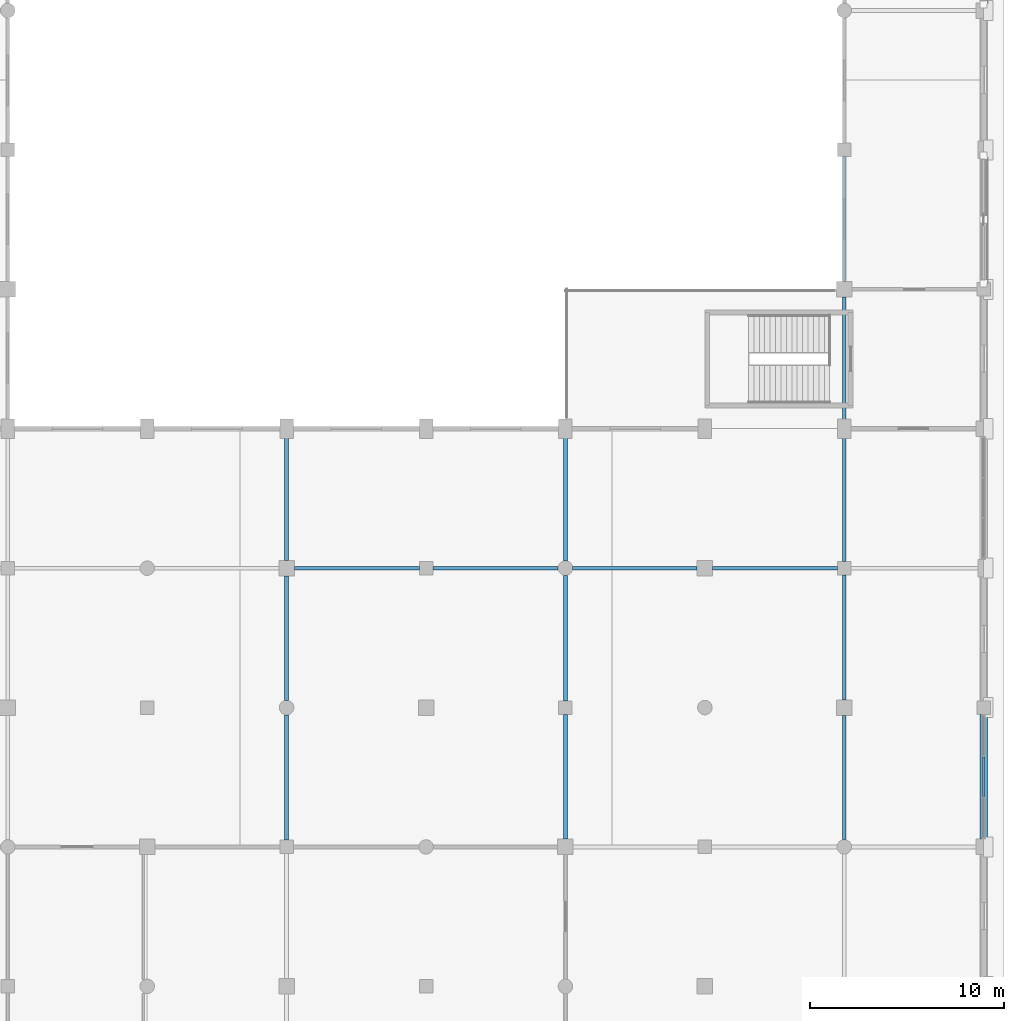
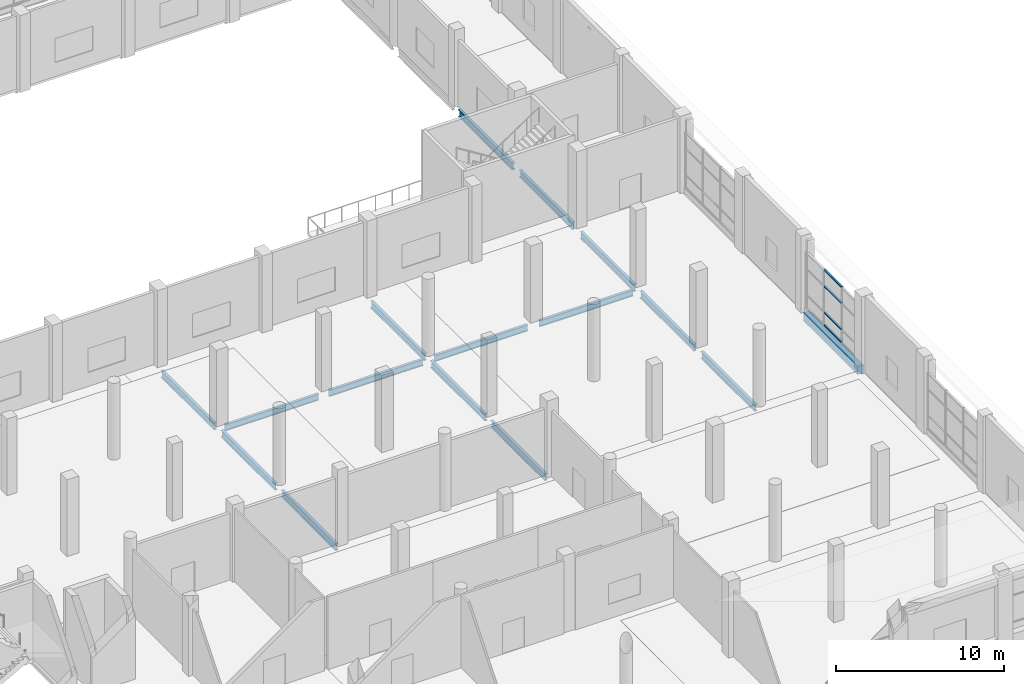
# One storey, part 31 of 80: 16 beams, 4 members, 1 element without a shape of its own.
"""IFC4 building model written with IfcOpenShell, lengths in metres."""

from ifc_helpers import new_model, si_unit, direction, frame, origin, origin_2d, place, context, subcontext, project, spatial, rectangle, i_section, extrude, material, material_profile, profile_set, type_object, element, aggregate, save


model = new_model("IFC4")

# Units and contexts
model_context = context("Model", 3, precision=1e-05, world=origin(), true_north=direction((0.0, 1.0)))
body_context = subcontext(model_context, "Body", "Model", "MODEL_VIEW")
ifc_project = project(units=[si_unit("LENGTHUNIT", "METRE"), si_unit("AREAUNIT", "SQUARE_METRE"), si_unit("VOLUMEUNIT", "CUBIC_METRE"), si_unit("PLANEANGLEUNIT", "RADIAN"), si_unit("MASSUNIT", "GRAM", prefix="KILO")], contexts=[model_context])

# Site, building, storey
site_placement = place(None, origin())
site = spatial("IfcSite", under=ifc_project, at=site_placement, CompositionType="ELEMENT")
building_placement = place(site_placement, origin())
building = spatial("IfcBuilding", under=site, at=building_placement, Name="Sardonyx Promenade Sports Hall", CompositionType="ELEMENT")
storey_placement = place(building_placement, frame((0.0, 0.0, 5.60009765625)))
storey = spatial("IfcBuildingStorey", under=building, at=storey_placement, Name="L01", CompositionType="ELEMENT", Elevation=5.60009765625)

# Beams
ifc_material_1 = material(Name="Steel S355JR", Category="steel")
ifc_material_profile_1 = material_profile(ifc_material_1, i_section(OverallWidth=0.18994140625, OverallDepth=0.453369140625, WebThickness=0.008544921875, FlangeThickness=0.0126953125, at=origin_2d()))
ifc_profile_set_1 = profile_set([ifc_material_profile_1], Name="Steel S355JR")
beam_type_1 = type_object("IfcBeamType", Name="Bm_Girder_UB457", PredefinedType="BEAM", material=ifc_profile_set_1)
beam_1_placement = place(storey_placement, frame((130.0, 43.199951171875, -0.516845703125), z_axis=(1.0, 0.0, 0.0), x_axis=(0.0, 1.0, 0.0)))
element("IfcBeam", 1, at=beam_1_placement, inside=storey, type_object=beam_type_1, Name="Beam SB01 L01 #246", PredefinedType="BEAM", context=body_context, shape_type="SweptSolid", body=[
    extrude(i_section(OverallWidth=0.18994140625, OverallDepth=0.453369140625, WebThickness=0.008544921875, FlangeThickness=0.0126953125, at=origin_2d()), origin(), (0.0, 0.0, 1.0), 6.449951171875),
])
beam_2_placement = place(storey_placement, frame((137.14990234375, 43.199951171875, -0.516845703125), z_axis=(1.0, 0.0, 0.0), x_axis=(0.0, 1.0, 0.0)))
element("IfcBeam", 2, at=beam_2_placement, inside=storey, type_object=beam_type_1, Name="Beam SB01 L01 #247", PredefinedType="BEAM", context=body_context, shape_type="SweptSolid", body=[
    extrude(i_section(OverallWidth=0.18994140625, OverallDepth=0.453369140625, WebThickness=0.008544921875, FlangeThickness=0.0126953125, at=origin_2d()), origin(), (0.0, 0.0, 1.0), 6.47509765625),
])
beam_3_placement = place(storey_placement, frame((144.375, 43.199951171875, -0.516845703125), z_axis=(1.0, 0.0, 0.0), x_axis=(0.0, 1.0, 0.0)))
element("IfcBeam", 3, at=beam_3_placement, inside=storey, type_object=beam_type_1, Name="Beam SB01 L01 #248", PredefinedType="BEAM", context=body_context, shape_type="SweptSolid", body=[
    extrude(i_section(OverallWidth=0.18994140625, OverallDepth=0.453369140625, WebThickness=0.008544921875, FlangeThickness=0.0126953125, at=origin_2d()), origin(), (0.0, 0.0, 1.0), 6.425048828125),
])
beam_4_placement = place(storey_placement, frame((151.60009765625, 43.199951171875, -0.516845703125), z_axis=(1.0, 0.0, 0.0), x_axis=(0.0, 1.0, 0.0)))
element("IfcBeam", 4, at=beam_4_placement, inside=storey, type_object=beam_type_1, Name="Beam SB01 L01 #249", PredefinedType="BEAM", context=body_context, shape_type="SweptSolid", body=[
    extrude(i_section(OverallWidth=0.18994140625, OverallDepth=0.453369140625, WebThickness=0.008544921875, FlangeThickness=0.0126953125, at=origin_2d()), origin(), (0.0, 0.0, 1.0), 6.449951171875),
])
ifc_material_2 = material(Name="Steel S355JR", Category="steel")
ifc_material_profile_2 = material_profile(ifc_material_2, i_section(OverallWidth=0.199951171875, OverallDepth=0.5, WebThickness=0.01025390625, FlangeThickness=0.01611328125, at=origin_2d()))
ifc_profile_set_2 = profile_set([ifc_material_profile_2], Name="Steel S355JR")
beam_type_2 = type_object("IfcBeamType", Name="Bm_Primary_IPE500", PredefinedType="BEAM", material=ifc_profile_set_2)
beam_5_placement = place(storey_placement, frame((129.60009765625, 29.14990234375, -0.5400390625), z_axis=(0.0, 1.0, 0.0), x_axis=(-1.0, 0.0, 0.0)))
element("IfcBeam", 5, at=beam_5_placement, inside=storey, type_object=beam_type_2, Name="Beam SB06 L01 #409", PredefinedType="BEAM", context=body_context, shape_type="SweptSolid", body=[
    extrude(i_section(OverallWidth=0.199951171875, OverallDepth=0.5, WebThickness=0.01025390625, FlangeThickness=0.01611328125, at=origin_2d()), origin(), (0.0, 0.0, 1.0), 6.47509765625),
])
beam_6_placement = place(storey_placement, frame((129.60009765625, 36.375, -0.5400390625), z_axis=(0.0, 1.0, 0.0), x_axis=(-1.0, 0.0, 0.0)))
element("IfcBeam", 6, at=beam_6_placement, inside=storey, type_object=beam_type_2, Name="Beam SB06 L01 #410", PredefinedType="BEAM", context=body_context, shape_type="SweptSolid", body=[
    extrude(i_section(OverallWidth=0.199951171875, OverallDepth=0.5, WebThickness=0.01025390625, FlangeThickness=0.01611328125, at=origin_2d()), origin(), (0.0, 0.0, 1.0), 6.425048828125),
])
beam_7_placement = place(storey_placement, frame((129.60009765625, 43.60009765625, -0.5400390625), z_axis=(0.0, 1.0, 0.0), x_axis=(-1.0, 0.0, 0.0)))
element("IfcBeam", 7, at=beam_7_placement, inside=storey, type_object=beam_type_2, Name="Beam SB06 L01 #411", PredefinedType="BEAM", context=body_context, shape_type="SweptSolid", body=[
    extrude(i_section(OverallWidth=0.199951171875, OverallDepth=0.5, WebThickness=0.01025390625, FlangeThickness=0.01611328125, at=origin_2d()), origin(), (0.0, 0.0, 1.0), 6.349853515625),
])
beam_8_placement = place(storey_placement, frame((144.0, 29.199951171875, -0.5400390625), z_axis=(0.0, 1.0, 0.0), x_axis=(-1.0, 0.0, 0.0)))
element("IfcBeam", 8, at=beam_8_placement, inside=storey, type_object=beam_type_2, Name="Beam SB06 L01 #418", PredefinedType="BEAM", context=body_context, shape_type="SweptSolid", body=[
    extrude(i_section(OverallWidth=0.199951171875, OverallDepth=0.5, WebThickness=0.01025390625, FlangeThickness=0.01611328125, at=origin_2d()), origin(), (0.0, 0.0, 1.0), 6.449951171875),
])
beam_9_placement = place(storey_placement, frame((144.0, 36.35009765625, -0.5400390625), z_axis=(0.0, 1.0, 0.0), x_axis=(-1.0, 0.0, 0.0)))
element("IfcBeam", 9, at=beam_9_placement, inside=storey, type_object=beam_type_2, Name="Beam SB06 L01 #419", PredefinedType="BEAM", context=body_context, shape_type="SweptSolid", body=[
    extrude(i_section(OverallWidth=0.199951171875, OverallDepth=0.5, WebThickness=0.01025390625, FlangeThickness=0.01611328125, at=origin_2d()), origin(), (0.0, 0.0, 1.0), 6.474853515625),
])
beam_10_placement = place(storey_placement, frame((144.0, 43.574951171875, -0.5400390625), z_axis=(0.0, 1.0, 0.0), x_axis=(-1.0, 0.0, 0.0)))
element("IfcBeam", 10, at=beam_10_placement, inside=storey, type_object=beam_type_2, Name="Beam SB06 L01 #420", PredefinedType="BEAM", context=body_context, shape_type="SweptSolid", body=[
    extrude(i_section(OverallWidth=0.199951171875, OverallDepth=0.5, WebThickness=0.01025390625, FlangeThickness=0.01611328125, at=origin_2d()), origin(), (0.0, 0.0, 1.0), 6.375),
])
beam_11_placement = place(storey_placement, frame((158.39990234375, 29.175048828125, -0.5400390625), z_axis=(0.0, 1.0, 0.0), x_axis=(-1.0, 0.0, 0.0)))
element("IfcBeam", 11, at=beam_11_placement, inside=storey, type_object=beam_type_2, Name="Beam SB06 L01 #427", PredefinedType="BEAM", context=body_context, shape_type="SweptSolid", body=[
    extrude(i_section(OverallWidth=0.199951171875, OverallDepth=0.5, WebThickness=0.01025390625, FlangeThickness=0.01611328125, at=origin_2d()), origin(), (0.0, 0.0, 1.0), 6.425048828125),
])
beam_12_placement = place(storey_placement, frame((158.39990234375, 36.39990234375, -0.5400390625), z_axis=(0.0, 1.0, 0.0), x_axis=(-1.0, 0.0, 0.0)))
element("IfcBeam", 12, at=beam_12_placement, inside=storey, type_object=beam_type_2, Name="Beam SB06 L01 #428", PredefinedType="BEAM", context=body_context, shape_type="SweptSolid", body=[
    extrude(i_section(OverallWidth=0.199951171875, OverallDepth=0.5, WebThickness=0.01025390625, FlangeThickness=0.01611328125, at=origin_2d()), origin(), (0.0, 0.0, 1.0), 6.4501953125),
])
beam_13_placement = place(storey_placement, frame((158.39990234375, 43.550048828125, -0.5400390625), z_axis=(0.0, 1.0, 0.0), x_axis=(-1.0, 0.0, 0.0)))
element("IfcBeam", 13, at=beam_13_placement, inside=storey, type_object=beam_type_2, Name="Beam SB06 L01 #429", PredefinedType="BEAM", context=body_context, shape_type="SweptSolid", body=[
    extrude(i_section(OverallWidth=0.199951171875, OverallDepth=0.5, WebThickness=0.01025390625, FlangeThickness=0.01611328125, at=origin_2d()), origin(), (0.0, 0.0, 1.0), 6.39990234375),
])
beam_14_placement = place(storey_placement, frame((158.39990234375, 50.85009765625, -0.47021484375), z_axis=(0.0, 1.0, 0.0), x_axis=(-1.0, 0.0, 0.0)))
element("IfcBeam", 14, at=beam_14_placement, inside=storey, type_object=beam_type_2, Name="Beam SB06 L01 #430", PredefinedType="BEAM", context=body_context, shape_type="SweptSolid", body=[
    extrude(i_section(OverallWidth=0.199951171875, OverallDepth=0.5, WebThickness=0.01025390625, FlangeThickness=0.01611328125, at=origin_2d()), origin(), (0.0, 0.0, 1.0), 6.349853515625),
])
beam_15_placement = place(storey_placement, frame((158.39990234375, 58.0, -0.47021484375), z_axis=(0.0, 1.0, 0.0), x_axis=(-1.0, 0.0, 0.0)))
element("IfcBeam", 15, at=beam_15_placement, inside=storey, type_object=beam_type_2, Name="Beam SB06 L01 #431", PredefinedType="BEAM", context=body_context, shape_type="SweptSolid", body=[
    extrude(i_section(OverallWidth=0.199951171875, OverallDepth=0.5, WebThickness=0.01025390625, FlangeThickness=0.01611328125, at=origin_2d()), origin(), (0.0, 0.0, 1.0), 6.449951171875),
])
ifc_material_3 = material(Name="Concrete C40/50", Category="concrete")
ifc_material_profile_3 = material_profile(ifc_material_3, rectangle(XDim=0.39990234375, YDim=0.60009765625, at=origin_2d()))
ifc_profile_set_3 = profile_set([ifc_material_profile_3], Name="Concrete C40/50")
beam_type_3 = type_object("IfcBeamType", Name="Bm_Spandrel_RC600", PredefinedType="SPANDREL", material=ifc_profile_set_3)
beam_16_placement = place(storey_placement, frame((165.60009765625, 29.199951171875, -0.300048828125), z_axis=(0.0, 1.0, 0.0), x_axis=(-1.0, 0.0, 0.0)))
element("IfcBeam", 16, at=beam_16_placement, inside=storey, type_object=beam_type_3, Name="Beam SPB1 L01 #439", PredefinedType="SPANDREL", context=body_context, shape_type="SweptSolid", body=[
    extrude(rectangle(XDim=0.39990234375, YDim=0.60009765625, at=origin_2d()), origin(), (0.0, 0.0, 1.0), 6.449951171875),
])

# Curtain wall, members
ifc_material_4 = material(Name="Aluminium 6063-T6", Category="aluminium")
curtain_wall_type = type_object("IfcCurtainWallType", Name="CW_EastWing_L01", PredefinedType="USERDEFINED", material=ifc_material_4)
curtain_wall_placement = place(storey_placement, origin())
curtain_wall = element("IfcCurtainWall", 17, at=curtain_wall_placement, inside=storey, type_object=curtain_wall_type, Name="Curtain wall CW15 cw:L01:053", ObjectType="CURTAIN WALL", PredefinedType="USERDEFINED")
ifc_material_5 = material(Name="Aluminium 6063-T6", Category="aluminium")
ifc_material_profile_4 = material_profile(ifc_material_5, rectangle(XDim=0.06494140625, YDim=0.139892578125, at=origin_2d()))
ifc_profile_set_4 = profile_set([ifc_material_profile_4], Name="Aluminium 6063-T6")
member_type = type_object("IfcMemberType", Name="CW_Tran_140", PredefinedType="USERDEFINED", material=ifc_profile_set_4)
member_1_placement = place(storey_placement, frame((165.60009765625, 33.449951171875, 0.38232421875), z_axis=(0.0, -1.0, 0.0), x_axis=(0.0, 0.0, 1.0)))
member_1 = element("IfcMember", 18, at=member_1_placement, type_object=member_type, Name="Transom CT02 cw:L01:053 #5", ObjectType="TRANSOM", PredefinedType="USERDEFINED", context=body_context, shape_type="SweptSolid", body=[
    extrude(rectangle(XDim=0.06494140625, YDim=0.139892578125, at=origin_2d()), origin(), (0.0, 0.0, 1.0), 2.050048828125),
])
member_2_placement = place(storey_placement, frame((165.60009765625, 33.449951171875, 1.2998046875), z_axis=(0.0, -1.0, 0.0), x_axis=(0.0, 0.0, 1.0)))
member_2 = element("IfcMember", 19, at=member_2_placement, type_object=member_type, Name="Transom CT02 cw:L01:053 #6", ObjectType="TRANSOM", PredefinedType="USERDEFINED", context=body_context, shape_type="SweptSolid", body=[
    extrude(rectangle(XDim=0.06494140625, YDim=0.139892578125, at=origin_2d()), origin(), (0.0, 0.0, 1.0), 2.050048828125),
])
member_3_placement = place(storey_placement, frame((165.60009765625, 33.449951171875, 3.199951171875), z_axis=(0.0, -1.0, 0.0), x_axis=(0.0, 0.0, 1.0)))
member_3 = element("IfcMember", 20, at=member_3_placement, type_object=member_type, Name="Transom CT02 cw:L01:053 #7", ObjectType="TRANSOM", PredefinedType="USERDEFINED", context=body_context, shape_type="SweptSolid", body=[
    extrude(rectangle(XDim=0.06494140625, YDim=0.139892578125, at=origin_2d()), origin(), (0.0, 0.0, 1.0), 2.050048828125),
])
member_4_placement = place(storey_placement, frame((165.60009765625, 33.449951171875, 4.367431640625), z_axis=(0.0, -1.0, 0.0), x_axis=(0.0, 0.0, 1.0)))
member_4 = element("IfcMember", 21, at=member_4_placement, type_object=member_type, Name="Transom CT02 cw:L01:053 #8", ObjectType="TRANSOM", PredefinedType="USERDEFINED", context=body_context, shape_type="SweptSolid", body=[
    extrude(rectangle(XDim=0.06494140625, YDim=0.139892578125, at=origin_2d()), origin(), (0.0, 0.0, 1.0), 2.050048828125),
])
aggregate(curtain_wall, [member_1, member_2, member_3, member_4])

save(model, "model.ifc")
